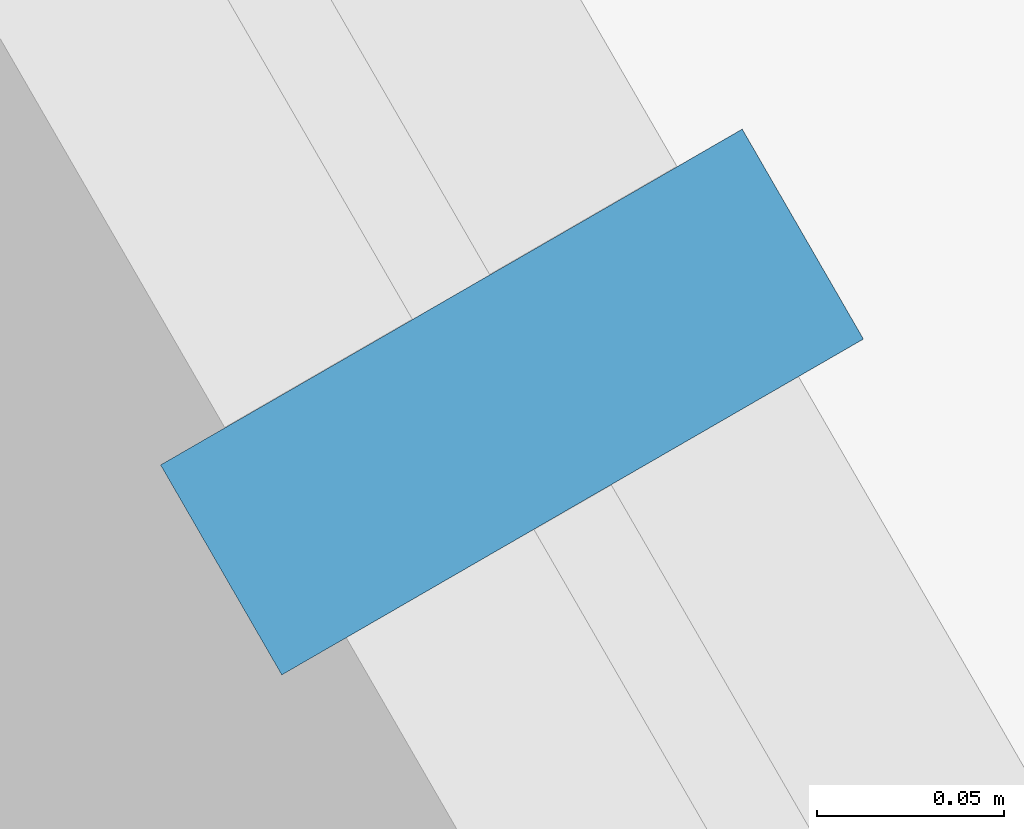
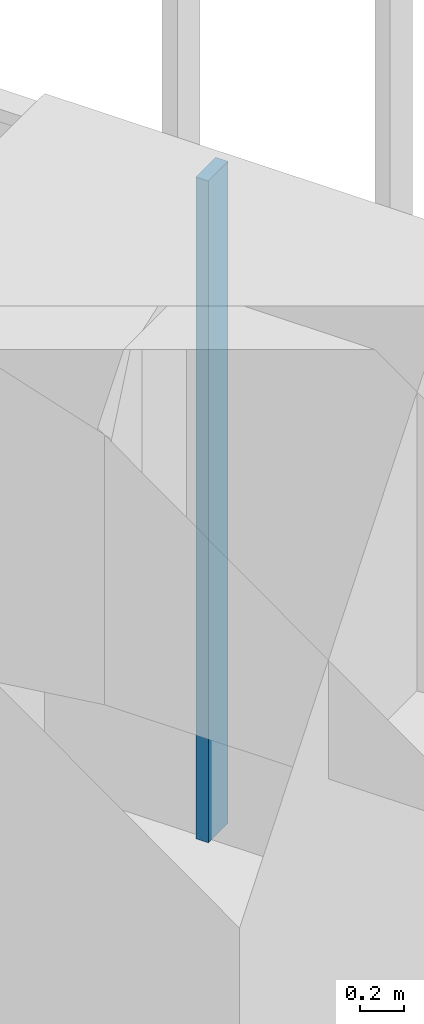
# One storey, part 239 of 256: 1 member, 1 element without a shape of its own.
"""IFC4 building model written with IfcOpenShell, lengths in metres."""

from ifc_helpers import new_model, si_unit, direction, frame, origin, origin_2d, place, context, subcontext, project, spatial, rectangle, extrude, material, material_profile, profile_set, type_object, element, aggregate, save


model = new_model("IFC4")

# Units and contexts
model_context = context("Model", 3, precision=1e-05, world=origin(), true_north=direction((0.0, 1.0)))
body_context = subcontext(model_context, "Body", "Model", "MODEL_VIEW")
ifc_project = project(units=[si_unit("LENGTHUNIT", "METRE"), si_unit("AREAUNIT", "SQUARE_METRE"), si_unit("VOLUMEUNIT", "CUBIC_METRE"), si_unit("PLANEANGLEUNIT", "RADIAN"), si_unit("MASSUNIT", "GRAM", prefix="KILO")], contexts=[model_context])

# Site, building, storey
site_placement = place(None, origin())
site = spatial("IfcSite", under=ifc_project, at=site_placement, CompositionType="ELEMENT")
building_placement = place(site_placement, origin())
building = spatial("IfcBuilding", under=site, at=building_placement, Name="Sandreach Pilgrim Tower", CompositionType="ELEMENT")
storey_placement = place(building_placement, frame((0.0, 0.0, 23.0)))
storey = spatial("IfcBuildingStorey", under=building, at=storey_placement, Name="L04", CompositionType="ELEMENT", Elevation=23.0)

# Curtain wall, member
ifc_material_1 = material(Name="Aluminium framed curtain wall", Category="aluminium")
curtain_wall_type = type_object("IfcCurtainWallType", Name="Hostel tower curtain wall", PredefinedType="NOTDEFINED", material=ifc_material_1)
curtain_wall_placement = place(storey_placement, origin())
curtain_wall = element("IfcCurtainWall", 1, at=curtain_wall_placement, inside=storey, type_object=curtain_wall_type, Name="CW-1 L04 NE", PredefinedType="NOTDEFINED")
ifc_material_2 = material(Name="Aluminium extrusion", Category="aluminium")
ifc_material_profile = material_profile(ifc_material_2, rectangle(XDim=0.06494140625, YDim=0.179931640625, at=origin_2d()), Name="CW-1M 65X180")
ifc_profile_set = profile_set([ifc_material_profile], Name="Aluminium extrusion")
member_type = type_object("IfcMemberType", Name="CW-1 mullion", PredefinedType="MULLION", material=ifc_profile_set)
member_placement = place(storey_placement, frame((23.697265625, 18.97705078125, 0.0), z_axis=(0.0, 0.0, 1.0), x_axis=(0.5, -0.866025403784, 0.0)))
member = element("IfcMember", 2, at=member_placement, type_object=member_type, Name="CW-1 mullion 2", PredefinedType="MULLION", context=body_context, shape_type="SweptSolid", body=[
    extrude(rectangle(XDim=0.06494140625, YDim=0.179931640625, at=origin_2d()), origin(), (0.0, 0.0, 1.0), 3.639892578125),
])
aggregate(curtain_wall, [member])

save(model, "model.ifc")
